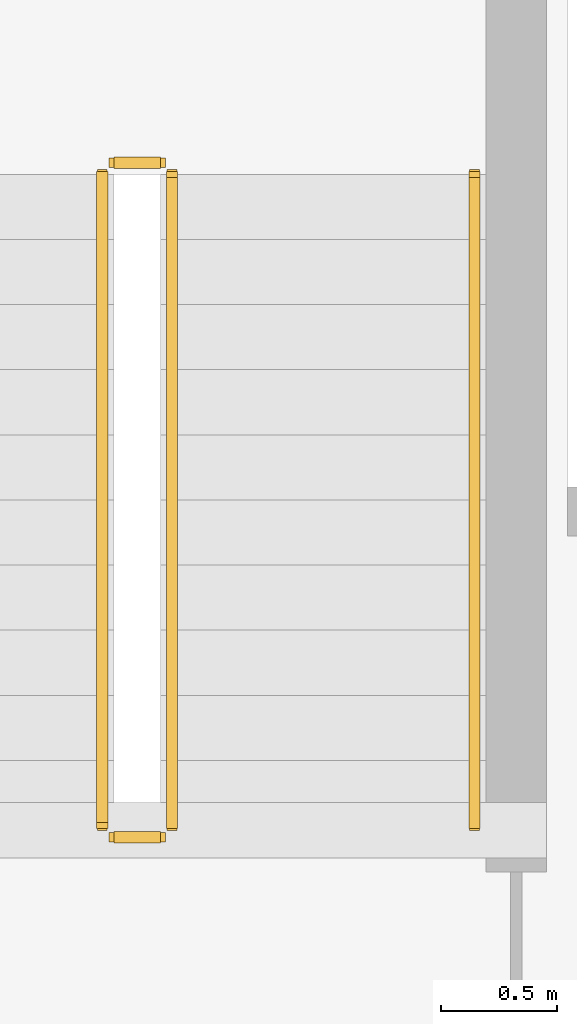
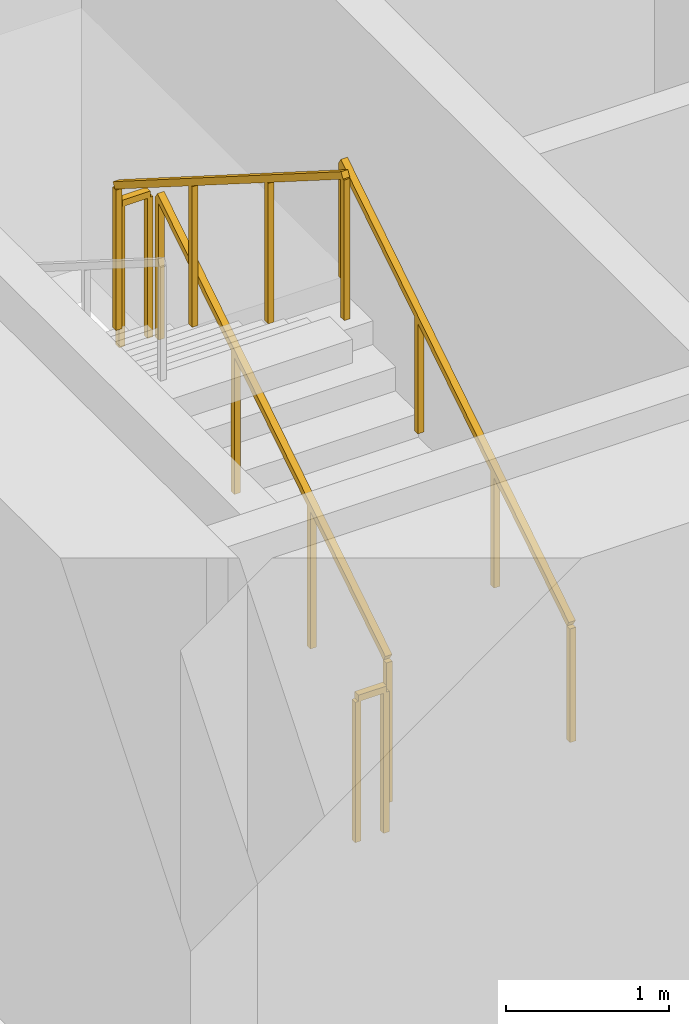
# One storey, part 27 of 29: 5 railings.
"""IFC4 building model written with IfcOpenShell, lengths in metres."""

from ifc_helpers import new_model, si_unit, direction, frame, origin, origin_2d, place, context, subcontext, project, spatial, rectangle, extrude, material, type_object, element, save


model = new_model("IFC4")

# Units and contexts
model_context = context("Model", 3, precision=1e-05, world=origin(), true_north=direction((0.0, 1.0)))
body_context = subcontext(model_context, "Body", "Model", "MODEL_VIEW")
ifc_project = project(units=[si_unit("LENGTHUNIT", "METRE"), si_unit("AREAUNIT", "SQUARE_METRE"), si_unit("VOLUMEUNIT", "CUBIC_METRE"), si_unit("PLANEANGLEUNIT", "RADIAN"), si_unit("MASSUNIT", "GRAM", prefix="KILO")], contexts=[model_context])

# Site, building, storey
site_placement = place(None, origin())
site = spatial("IfcSite", under=ifc_project, at=site_placement, CompositionType="ELEMENT")
building_placement = place(site_placement, origin())
building = spatial("IfcBuilding", under=site, at=building_placement, Name="Kiyonajd Concourse Tower", CompositionType="ELEMENT")
storey_placement = place(building_placement, frame((0.0, 0.0, 52.800048828125)))
storey = spatial("IfcBuildingStorey", under=building, at=storey_placement, Name="L14", CompositionType="ELEMENT", Elevation=52.800048828125)

# Railings
ifc_material_1 = material(Name="Steel ASTM A500 Grade C", Category="steel")
railing_type_1 = type_object("IfcRailingType", Name="RL-GRD-STR", PredefinedType="GUARDRAIL", material=ifc_material_1)
railing_1_placement = place(storey_placement, frame((35.5, 30.550048828125, 0.17724609375)))
element("IfcRailing", 1, at=railing_1_placement, inside=storey, type_object=railing_type_1, Name="L14 ST1 stair guard 1", PredefinedType="GUARDRAIL", context=body_context, shape_type="SweptSolid", body=[
    extrude(rectangle(XDim=0.048095703125, YDim=0.048095703125, at=origin_2d()), frame((0.0, 0.0, 1.076171875), z_axis=(0.0, 0.844908973607, 0.534910110503), x_axis=(-1.0, 0.0, 0.0)), (0.0, 0.0, 1.0), 3.31396484375),
    extrude(rectangle(XDim=0.0419921875, YDim=0.0419921875, at=origin_2d()), origin(), (0.0, 0.0, 1.0), 1.052001953125),
    extrude(rectangle(XDim=0.0419921875, YDim=0.0419921875, at=origin_2d()), frame((0.0, 0.933349609375, 0.5908203125)), (0.0, 0.0, 1.0), 1.052001953125),
    extrude(rectangle(XDim=0.0419921875, YDim=0.0419921875, at=origin_2d()), frame((0.0, 1.86669921875, 1.181884765625)), (0.0, 0.0, 1.0), 1.052001953125),
    extrude(rectangle(XDim=0.0419921875, YDim=0.0419921875, at=origin_2d()), frame((0.0, 2.800048828125, 1.772705078125)), (0.0, 0.0, 1.0), 1.052001953125),
])
railing_2_placement = place(storey_placement, frame((35.449951171875, 33.39990234375, 1.949951171875)))
element("IfcRailing", 2, at=railing_2_placement, inside=storey, type_object=railing_type_1, Name="L14 ST1 stair guard 2", PredefinedType="GUARDRAIL", context=body_context, shape_type="SweptSolid", body=[
    extrude(rectangle(XDim=0.048095703125, YDim=0.048095703125, at=origin_2d()), frame((0.0, 0.0, 1.076171875), z_axis=(-1.0, 0.0, 0.0), x_axis=(0.0, -1.0, 0.0)), (0.0, 0.0, 1.0), 0.199951171875),
    extrude(rectangle(XDim=0.0419921875, YDim=0.0419921875, at=origin_2d()), origin(), (0.0, 0.0, 1.0), 1.052001953125),
    extrude(rectangle(XDim=0.0419921875, YDim=0.0419921875, at=origin_2d()), frame((-0.199951171875, 0.0, 0.0)), (0.0, 0.0, 1.0), 1.052001953125),
])
railing_3_placement = place(storey_placement, frame((35.199951171875, 33.35009765625, 2.127197265625)))
element("IfcRailing", 3, at=railing_3_placement, inside=storey, type_object=railing_type_1, Name="L14 ST1 stair guard 3", PredefinedType="GUARDRAIL", context=body_context, shape_type="SweptSolid", body=[
    extrude(rectangle(XDim=0.048095703125, YDim=0.048095703125, at=origin_2d()), frame((0.0, 0.0, 1.076171875), z_axis=(0.0, -0.844908973607, 0.534910110503), x_axis=(1.0, 0.0, 0.0)), (0.0, 0.0, 1.0), 3.31396484375),
    extrude(rectangle(XDim=0.0419921875, YDim=0.0419921875, at=origin_2d()), origin(), (0.0, 0.0, 1.0), 1.052001953125),
    extrude(rectangle(XDim=0.0419921875, YDim=0.0419921875, at=origin_2d()), frame((0.0, -0.933349609375, 0.5908203125)), (0.0, 0.0, 1.0), 1.052001953125),
    extrude(rectangle(XDim=0.0419921875, YDim=0.0419921875, at=origin_2d()), frame((0.0, -1.86669921875, 1.181884765625)), (0.0, 0.0, 1.0), 1.052001953125),
    extrude(rectangle(XDim=0.0419921875, YDim=0.0419921875, at=origin_2d()), frame((0.0, -2.800048828125, 1.772705078125)), (0.0, 0.0, 1.0), 1.052001953125),
])
railing_4_placement = place(storey_placement, frame((35.449951171875, 30.5, 0.0)))
element("IfcRailing", 4, at=railing_4_placement, inside=storey, type_object=railing_type_1, Name="L14 ST1 stair guard 4", PredefinedType="GUARDRAIL", context=body_context, shape_type="SweptSolid", body=[
    extrude(rectangle(XDim=0.048095703125, YDim=0.048095703125, at=origin_2d()), frame((0.0, 0.0, 1.076171875), z_axis=(-1.0, 0.0, 0.0), x_axis=(0.0, -1.0, 0.0)), (0.0, 0.0, 1.0), 0.199951171875),
    extrude(rectangle(XDim=0.0419921875, YDim=0.0419921875, at=origin_2d()), origin(), (0.0, 0.0, 1.0), 1.052001953125),
    extrude(rectangle(XDim=0.0419921875, YDim=0.0419921875, at=origin_2d()), frame((-0.199951171875, 0.0, 0.0)), (0.0, 0.0, 1.0), 1.052001953125),
])
ifc_material_2 = material(Name="Brushed Stainless Steel Cab Assembly", Category="steel")
railing_type_2 = type_object("IfcRailingType", Name="RL-HND-900", PredefinedType="HANDRAIL", material=ifc_material_2)
railing_5_placement = place(storey_placement, frame((36.800048828125, 30.550048828125, 0.17724609375)))
element("IfcRailing", 5, at=railing_5_placement, inside=storey, type_object=railing_type_2, Name="L14 ST1 stair handrail 1", PredefinedType="HANDRAIL", context=body_context, shape_type="SweptSolid", body=[
    extrude(rectangle(XDim=0.048095703125, YDim=0.048095703125, at=origin_2d()), frame((0.0, 0.0, 0.8759765625), z_axis=(0.0, 0.844908973607, 0.534910110503), x_axis=(-1.0, 0.0, 0.0)), (0.0, 0.0, 1.0), 3.31396484375),
    extrude(rectangle(XDim=0.0419921875, YDim=0.0419921875, at=origin_2d()), origin(), (0.0, 0.0, 1.0), 0.851806640625),
    extrude(rectangle(XDim=0.0419921875, YDim=0.0419921875, at=origin_2d()), frame((0.0, 0.933349609375, 0.5908203125)), (0.0, 0.0, 1.0), 0.851806640625),
    extrude(rectangle(XDim=0.0419921875, YDim=0.0419921875, at=origin_2d()), frame((0.0, 1.86669921875, 1.181884765625)), (0.0, 0.0, 1.0), 0.851806640625),
    extrude(rectangle(XDim=0.0419921875, YDim=0.0419921875, at=origin_2d()), frame((0.0, 2.800048828125, 1.772705078125)), (0.0, 0.0, 1.0), 0.851806640625),
])

save(model, "model.ifc")
